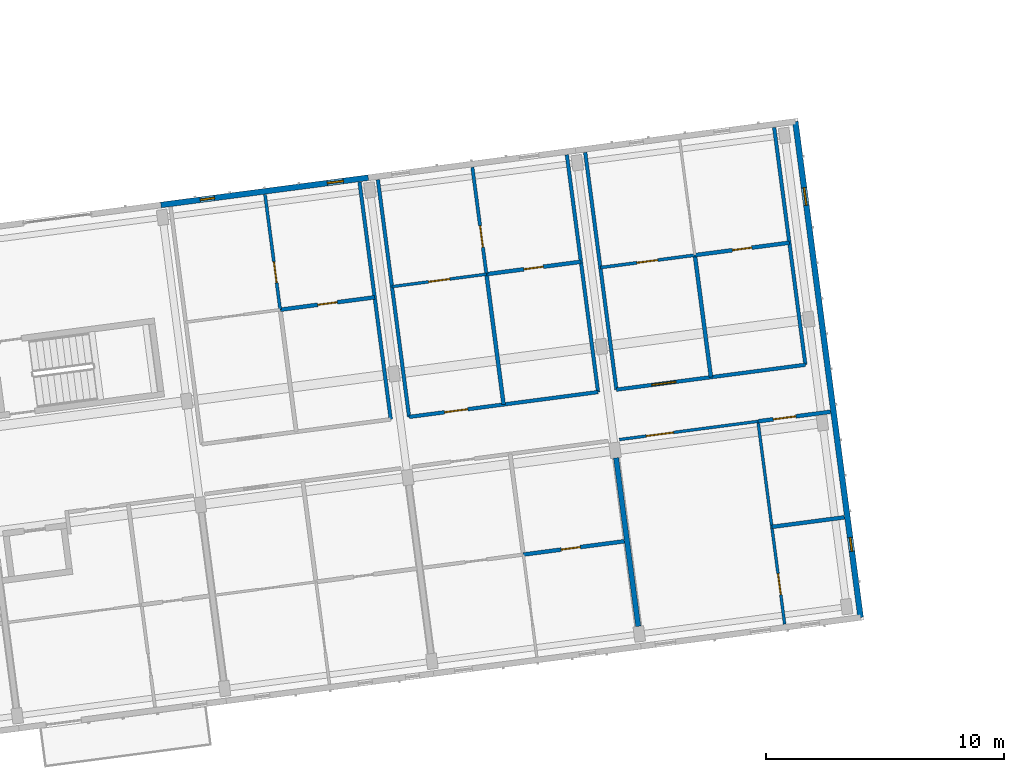
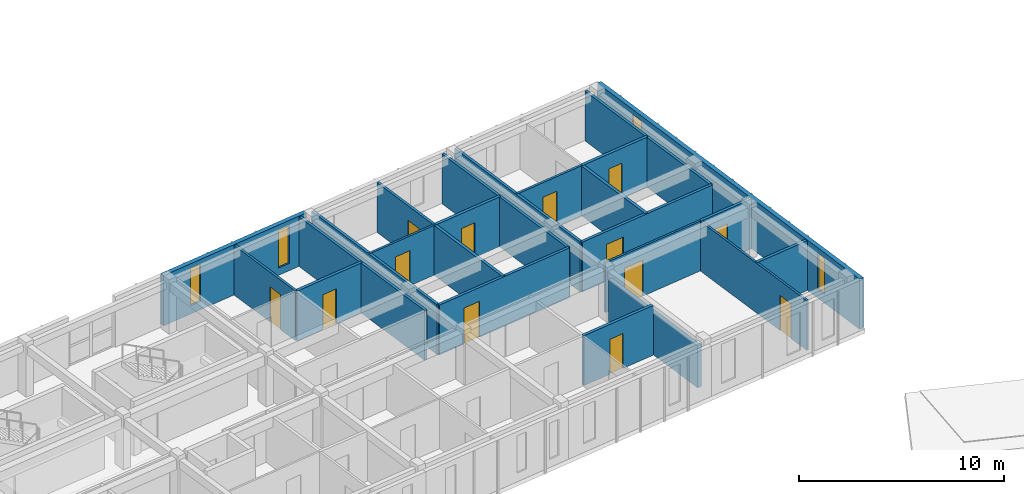
# One storey, part 14 of 34: 24 walls, 13 doors, 4 windows, 17 openings.
"""IFC4 building model written with IfcOpenShell, lengths in metres."""

from ifc_helpers import new_model, si_unit, direction, frame, frame_2d, origin, place, context, subcontext, project, spatial, rectangle, extrude, material, layer, layer_set, type_object, element, fill, save


model = new_model("IFC4")

# Units and contexts
model_context = context("Model", 3, precision=1e-05, world=origin(), true_north=direction((0.0, 1.0)))
body_context = subcontext(model_context, "Body", "Model", "MODEL_VIEW")
ifc_project = project(units=[si_unit("LENGTHUNIT", "METRE"), si_unit("AREAUNIT", "SQUARE_METRE"), si_unit("VOLUMEUNIT", "CUBIC_METRE"), si_unit("PLANEANGLEUNIT", "RADIAN"), si_unit("MASSUNIT", "GRAM", prefix="KILO")], contexts=[model_context])

# Site, building, storey
site_placement = place(None, origin())
site = spatial("IfcSite", under=ifc_project, at=site_placement, CompositionType="ELEMENT")
building_placement = place(site_placement, origin())
building = spatial("IfcBuilding", under=site, at=building_placement, Name="Kestramere Prow Commons", CompositionType="ELEMENT")
storey_placement = place(building_placement, frame((0.0, 0.0, 34.39990234375)))
storey = spatial("IfcBuildingStorey", under=building, at=storey_placement, Name="L10", CompositionType="ELEMENT", Elevation=34.39990234375)

# Wall, openings, windows
ifc_material_1 = material(Name="Fluoropolymer Standing-Seam Zinc-Aluminium Cladding", Category="aluminium")
ifc_layer_1 = layer(ifc_material_1, 0.239990234375)
ifc_layer_set_1 = layer_set([ifc_layer_1], Name="Fluoropolymer Standing-Seam Zinc-Aluminium Cladding")
wall_type_1 = type_object("IfcWallType", Name="EW-SEAM-240", PredefinedType="SOLIDWALL", material=ifc_layer_set_1)
wall_1_placement = place(storey_placement, frame((34.695068359375, 95.79541015625, 0.0), z_axis=(0.0, 0.0, 1.0), x_axis=(0.991447967712, 0.130502595073, 0.0)))
wall_1 = element("IfcWall", 1, at=wall_1_placement, inside=storey, type_object=wall_type_1, Name="Block A L10 North Standing-Seam Wall 4", PredefinedType="SOLIDWALL", context=body_context, shape_type="SweptSolid", body=[
    extrude(rectangle(XDim=8.800048828125, YDim=0.239990234375, at=frame_2d((4.39990234375, 0.0))), origin(), (0.0, 0.0, 1.0), 3.0),
])
opening_1_placement = place(wall_1_placement, frame((1.672119140625, 0.0, 0.5)))
opening_1 = element("IfcOpeningElement", 2, at=opening_1_placement, cuts=wall_1, Name="Opening WN-02", PredefinedType="OPENING", context=body_context, shape_type="SweptSolid", body=[
    extrude(rectangle(XDim=0.60009765625, YDim=2.219970703125, at=frame_2d((0.300048828125, 1.10986328125))), frame((0.0, 0.135009765625, 0.0), z_axis=(0.0, -1.0, 0.0), x_axis=(1.0, 0.0, 0.0)), (0.0, 0.0, 1.0), 0.27001953125),
])
opening_2_placement = place(wall_1_placement, frame((7.06591796875, 0.0, 0.43994140625)))
opening_2 = element("IfcOpeningElement", 3, at=opening_2_placement, cuts=wall_1, Name="Opening WN-06", PredefinedType="OPENING", context=body_context, shape_type="SweptSolid", body=[
    extrude(rectangle(XDim=0.679931640625, YDim=2.239990234375, at=frame_2d((0.33984375, 1.1201171875))), frame((0.0, 0.135009765625, 0.0), z_axis=(0.0, -1.0, 0.0), x_axis=(1.0, 0.0, 0.0)), (0.0, 0.0, 1.0), 0.27001953125),
])
ifc_material_2 = material(Name="Low-E Laminated Double Glazing", Category="glass")
window_type_1 = type_object("IfcWindowType", Name="WN-NAR-600A", PartitioningType="SINGLE_PANEL", PredefinedType="WINDOW", material=ifc_material_2)
window_1_placement = place(opening_1_placement, origin())
window_1 = element("IfcWindow", 4, at=window_1_placement, inside=storey, type_object=window_type_1, Name="WN-A-L10-N-3-0", OverallHeight=2.219970703125, OverallWidth=0.60009765625, PartitioningType="SINGLE_PANEL", PredefinedType="WINDOW", context=body_context, shape_type="SweptSolid", body=[
    extrude(rectangle(XDim=0.60009765625, YDim=2.219970703125, at=frame_2d((0.300048828125, 1.10986328125))), frame((0.0, 0.030029296875, 0.0), z_axis=(0.0, -1.0, 0.0), x_axis=(1.0, 0.0, 0.0)), (0.0, 0.0, 1.0), 0.06005859375),
])
fill(opening_1, window_1)
window_type_2 = type_object("IfcWindowType", Name="WN-NAR-680A", PartitioningType="SINGLE_PANEL", PredefinedType="WINDOW", material=ifc_material_2)
window_2_placement = place(opening_2_placement, origin())
window_2 = element("IfcWindow", 5, at=window_2_placement, inside=storey, type_object=window_type_2, Name="WN-A-L10-N-3-1", OverallHeight=2.239990234375, OverallWidth=0.679931640625, PartitioningType="SINGLE_PANEL", PredefinedType="WINDOW", context=body_context, shape_type="SweptSolid", body=[
    extrude(rectangle(XDim=0.679931640625, YDim=2.239990234375, at=frame_2d((0.33984375, 1.1201171875))), frame((0.0, 0.030029296875, 0.0), z_axis=(0.0, -1.0, 0.0), x_axis=(1.0, 0.0, 0.0)), (0.0, 0.0, 1.0), 0.06005859375),
])
fill(opening_2, window_2)

wall_2_placement = place(storey_placement, frame((61.3896484375, 99.309814453125, 0.0), z_axis=(0.0, 0.0, 1.0), x_axis=(0.13052411616, -0.99144513469, 0.0)))
wall_2 = element("IfcWall", 6, at=wall_2_placement, inside=storey, type_object=wall_type_1, Name="Block A L10 EAV Facet Wall", PredefinedType="SOLIDWALL", context=body_context, shape_type="SweptSolid", body=[
    extrude(rectangle(XDim=21.05029296875, YDim=0.239990234375, at=frame_2d((10.525146484375, 0.0))), origin(), (0.0, 0.0, 1.0), 3.0),
])
opening_3_placement = place(wall_2_placement, frame((2.81005859375, 0.0, 0.449951171875)))
opening_3 = element("IfcOpeningElement", 7, at=opening_3_placement, cuts=wall_2, Name="Opening WN-09", PredefinedType="OPENING", context=body_context, shape_type="SweptSolid", body=[
    extrude(rectangle(XDim=0.739990234375, YDim=2.260009765625, at=frame_2d((0.3701171875, 1.1298828125))), frame((0.0, 0.135009765625, 0.0), z_axis=(0.0, -1.0, 0.0), x_axis=(1.0, 0.0, 0.0)), (0.0, 0.0, 1.0), 0.27001953125),
])
opening_4_placement = place(wall_2_placement, frame((17.659912109375, 0.0, 0.52001953125)))
opening_4 = element("IfcOpeningElement", 8, at=opening_4_placement, cuts=wall_2, Name="Opening WN-01", PredefinedType="OPENING", context=body_context, shape_type="SweptSolid", body=[
    extrude(rectangle(XDim=0.580078125, YDim=2.159912109375, at=frame_2d((0.2900390625, 1.080078125))), frame((0.0, 0.135009765625, 0.0), z_axis=(0.0, -1.0, 0.0), x_axis=(1.0, 0.0, 0.0)), (0.0, 0.0, 1.0), 0.27001953125),
])
window_type_3 = type_object("IfcWindowType", Name="WN-NAR-580A", PartitioningType="SINGLE_PANEL", PredefinedType="WINDOW", material=ifc_material_2)
window_3_placement = place(opening_4_placement, origin())
window_3 = element("IfcWindow", 9, at=window_3_placement, inside=storey, type_object=window_type_3, Name="WN-A-L10-EAV-1", OverallHeight=2.159912109375, OverallWidth=0.580078125, PartitioningType="SINGLE_PANEL", PredefinedType="WINDOW", context=body_context, shape_type="SweptSolid", body=[
    extrude(rectangle(XDim=0.580078125, YDim=2.159912109375, at=frame_2d((0.2900390625, 1.080078125))), frame((0.0, 0.030029296875, 0.0), z_axis=(0.0, -1.0, 0.0), x_axis=(1.0, 0.0, 0.0)), (0.0, 0.0, 1.0), 0.06005859375),
])
fill(opening_4, window_3)
window_type_4 = type_object("IfcWindowType", Name="WN-NAR-740A", PartitioningType="SINGLE_PANEL", PredefinedType="WINDOW", material=ifc_material_2)
window_4_placement = place(opening_3_placement, origin())
window_4 = element("IfcWindow", 10, at=window_4_placement, inside=storey, type_object=window_type_4, Name="WN-A-L10-EAV-0", OverallHeight=2.260009765625, OverallWidth=0.739990234375, PartitioningType="SINGLE_PANEL", PredefinedType="WINDOW", context=body_context, shape_type="SweptSolid", body=[
    extrude(rectangle(XDim=0.739990234375, YDim=2.260009765625, at=frame_2d((0.3701171875, 1.1298828125))), frame((0.0, 0.030029296875, 0.0), z_axis=(0.0, -1.0, 0.0), x_axis=(1.0, 0.0, 0.0)), (0.0, 0.0, 1.0), 0.06005859375),
])
fill(opening_3, window_4)

# Wall, opening, door
ifc_material_3 = material(Name="Fire-Rated Calcium Silicate Wall")
ifc_layer_2 = layer(ifc_material_3, 0.155029296875)
ifc_layer_set_2 = layer_set([ifc_layer_2], Name="Fire-Rated Calcium Silicate Wall")
wall_type_2 = type_object("IfcWallType", Name="W-FIRE-150", PredefinedType="PARTITIONING", material=ifc_layer_set_2)
wall_3_placement = place(storey_placement, frame((45.138427734375, 86.877197265625, 0.0), z_axis=(0.0, 0.0, 1.0), x_axis=(0.991444034844, 0.130532470184, 0.0)))
wall_3 = element("IfcWall", 11, at=wall_3_placement, inside=storey, type_object=wall_type_2, Name="Interior Partition PW-A-L10-CN-4", PredefinedType="PARTITIONING", context=body_context, shape_type="SweptSolid", body=[
    extrude(rectangle(XDim=8.02001953125, YDim=0.155029296875, at=frame_2d((4.010009765625, 0.0))), origin(), (0.0, 0.0, 1.0), 2.97021484375),
])
opening_5_placement = place(wall_3_placement, frame((1.5048828125, 0.0, 0.0)))
opening_5 = element("IfcOpeningElement", 12, at=opening_5_placement, cuts=wall_3, Name="Opening ID-04", PredefinedType="OPENING", context=body_context, shape_type="SweptSolid", body=[
    extrude(rectangle(XDim=0.97998046875, YDim=2.14990234375, at=frame_2d((0.489990234375, 1.074951171875))), frame((0.0, 0.092529296875, 0.0), z_axis=(0.0, -1.0, 0.0), x_axis=(1.0, 0.0, 0.0)), (0.0, 0.0, 1.0), 0.18505859375),
])
ifc_material_4 = material(Name="Hardwood Fire-Rated Flat Entrance Door", Category="wood")
door_type_1 = type_object("IfcDoorType", Name="FD-ENT-01", OperationType="NOTDEFINED", PredefinedType="DOOR", material=ifc_material_4)
door_1_placement = place(opening_5_placement, origin())
door_1 = element("IfcDoor", 13, at=door_1_placement, inside=storey, type_object=door_type_1, Name="Interior Door DR-A-L10-ENT-N4", OperationType="SINGLE_SWING_LEFT", OverallHeight=2.14990234375, OverallWidth=0.97998046875, PredefinedType="DOOR", context=body_context, shape_type="SweptSolid", body=[
    extrude(rectangle(XDim=0.97998046875, YDim=2.14990234375, at=frame_2d((0.489990234375, 1.074951171875))), frame((0.0, 0.02490234375, 0.0), z_axis=(0.0, -1.0, 0.0), x_axis=(1.0, 0.0, 0.0)), (0.0, 0.0, 1.0), 0.050048828125),
])
fill(opening_5, door_1)

wall_4_placement = place(storey_placement, frame((53.86328125, 88.02587890625, 0.0), z_axis=(0.0, 0.0, 1.0), x_axis=(0.991447973994, 0.130502547346, 0.0)))
wall_4 = element("IfcWall", 14, at=wall_4_placement, inside=storey, type_object=wall_type_2, Name="Interior Partition PW-A-L10-CN-5", PredefinedType="PARTITIONING", context=body_context, shape_type="SweptSolid", body=[
    extrude(rectangle(XDim=8.02001953125, YDim=0.155029296875, at=frame_2d((4.010009765625, 0.0))), origin(), (0.0, 0.0, 1.0), 2.97021484375),
])
opening_6_placement = place(wall_4_placement, frame((1.5048828125, 0.0, 0.0)))
opening_6 = element("IfcOpeningElement", 15, at=opening_6_placement, cuts=wall_4, Name="Opening ID-05", PredefinedType="OPENING", context=body_context, shape_type="SweptSolid", body=[
    extrude(rectangle(XDim=1.02001953125, YDim=2.199951171875, at=frame_2d((0.510009765625, 1.10009765625))), frame((0.0, 0.092529296875, 0.0), z_axis=(0.0, -1.0, 0.0), x_axis=(1.0, 0.0, 0.0)), (0.0, 0.0, 1.0), 0.18505859375),
])
door_type_2 = type_object("IfcDoorType", Name="FD-ENT-02", OperationType="NOTDEFINED", PredefinedType="DOOR", material=ifc_material_4)
door_2_placement = place(opening_6_placement, origin())
door_2 = element("IfcDoor", 16, at=door_2_placement, inside=storey, type_object=door_type_2, Name="Interior Door DR-A-L10-ENT-N5", OperationType="SINGLE_SWING_RIGHT", OverallHeight=2.199951171875, OverallWidth=1.02001953125, PredefinedType="DOOR", context=body_context, shape_type="SweptSolid", body=[
    extrude(rectangle(XDim=1.02001953125, YDim=2.199951171875, at=frame_2d((0.510009765625, 1.10009765625))), frame((0.0, 0.02490234375, 0.0), z_axis=(0.0, -1.0, 0.0), x_axis=(1.0, 0.0, 0.0)), (0.0, 0.0, 1.0), 0.050048828125),
])
fill(opening_6, door_2)

ifc_material_5 = material(Name="Lightweight Blockwork and Plaster", Category="masonry")
ifc_layer_3 = layer(ifc_material_5, 0.1201171875)
ifc_layer_set_3 = layer_set([ifc_layer_3], Name="Lightweight Blockwork and Plaster")
wall_type_3 = type_object("IfcWallType", Name="W-PART-120", PredefinedType="PARTITIONING", material=ifc_layer_set_3)
wall_5_placement = place(storey_placement, frame((53.983642578125, 85.923583984375, 0.0), z_axis=(0.0, 0.0, 1.0), x_axis=(0.991446810256, 0.130511388136, 0.0)))
wall_5 = element("IfcWall", 17, at=wall_5_placement, inside=storey, type_object=wall_type_3, Name="Interior Partition PW-A-L10-CS-5A", PredefinedType="PARTITIONING", context=body_context, shape_type="SweptSolid", body=[
    extrude(rectangle(XDim=5.885009765625, YDim=0.1201171875, at=frame_2d((2.9423828125, 0.0))), origin(), (0.0, 0.0, 1.0), 2.97021484375),
])
opening_7_placement = place(wall_5_placement, frame((1.14990234375, 0.0, 0.0)))
opening_7 = element("IfcOpeningElement", 18, at=opening_7_placement, cuts=wall_5, Name="Opening ID-09", PredefinedType="OPENING", context=body_context, shape_type="SweptSolid", body=[
    extrude(rectangle(XDim=1.14990234375, YDim=2.14990234375, at=frame_2d((0.574951171875, 1.074951171875))), frame((0.0, 0.074951171875, 0.0), z_axis=(0.0, -1.0, 0.0), x_axis=(1.0, 0.0, 0.0)), (0.0, 0.0, 1.0), 0.150146484375),
])
ifc_material_6 = material(Name="Engineered Timber Acoustic Door", Category="wood")
door_type_3 = type_object("IfcDoorType", Name="D-RM-02", OperationType="NOTDEFINED", PredefinedType="DOOR", material=ifc_material_6)
door_3_placement = place(opening_7_placement, origin())
door_3 = element("IfcDoor", 19, at=door_3_placement, inside=storey, type_object=door_type_3, Name="Interior Door DR-A-L10-SKY-5", OperationType="SINGLE_SWING_LEFT", OverallHeight=2.14990234375, OverallWidth=1.14990234375, PredefinedType="DOOR", context=body_context, shape_type="SweptSolid", body=[
    extrude(rectangle(XDim=1.14990234375, YDim=2.14990234375, at=frame_2d((0.574951171875, 1.074951171875))), frame((0.0, 0.02490234375, 0.0), z_axis=(0.0, -1.0, 0.0), x_axis=(1.0, 0.0, 0.0)), (0.0, 0.0, 1.0), 0.050048828125),
])
fill(opening_7, door_3)

wall_6_placement = place(storey_placement, frame((60.942138671875, 78.1552734375, 0.0), z_axis=(0.0, 0.0, 1.0), x_axis=(-0.13051979335, 0.99144570378, 0.0)))
wall_6 = element("IfcWall", 20, at=wall_6_placement, inside=storey, type_object=wall_type_3, Name="Interior Partition PW-A-L10-SKDV-5", PredefinedType="PARTITIONING", context=body_context, shape_type="SweptSolid", body=[
    extrude(rectangle(XDim=8.610107421875, YDim=0.1201171875, at=frame_2d((4.30517578125, 0.0))), origin(), (0.0, 0.0, 1.0), 2.97021484375),
])
opening_8_placement = place(wall_6_placement, frame((1.25, 0.0, 0.0)))
opening_8 = element("IfcOpeningElement", 21, at=opening_8_placement, cuts=wall_6, Name="Opening ID-08", PredefinedType="OPENING", context=body_context, shape_type="SweptSolid", body=[
    extrude(rectangle(XDim=0.89990234375, YDim=2.10009765625, at=frame_2d((0.449951171875, 1.050048828125))), frame((0.0, 0.074951171875, 0.0), z_axis=(0.0, -1.0, 0.0), x_axis=(1.0, 0.0, 0.0)), (0.0, 0.0, 1.0), 0.150146484375),
])
ifc_material_7 = material(Name="Engineered Timber Flush Door", Category="wood")
door_type_4 = type_object("IfcDoorType", Name="D-RM-01", OperationType="NOTDEFINED", PredefinedType="DOOR", material=ifc_material_7)
door_4_placement = place(opening_8_placement, origin())
door_4 = element("IfcDoor", 22, at=door_4_placement, inside=storey, type_object=door_type_4, Name="Interior Door DR-A-L10-SKAL-5", OperationType="SINGLE_SWING_LEFT", OverallHeight=2.10009765625, OverallWidth=0.89990234375, PredefinedType="DOOR", context=body_context, shape_type="SweptSolid", body=[
    extrude(rectangle(XDim=0.89990234375, YDim=2.10009765625, at=frame_2d((0.449951171875, 1.050048828125))), frame((0.0, 0.02490234375, 0.0), z_axis=(0.0, -1.0, 0.0), x_axis=(1.0, 0.0, 0.0)), (0.0, 0.0, 1.0), 0.050048828125),
])
fill(opening_8, door_4)

wall_7_placement = place(storey_placement, frame((44.416748046875, 92.35986328125, 0.0), z_axis=(0.0, 0.0, 1.0), x_axis=(0.991443516139, 0.130536409887, 0.0)))
wall_7 = element("IfcWall", 23, at=wall_7_placement, inside=storey, type_object=wall_type_3, Name="Interior Partition PW-A-L10-MIDN1-4", PredefinedType="PARTITIONING", context=body_context, shape_type="SweptSolid", body=[
    extrude(rectangle(XDim=4.010009765625, YDim=0.1201171875, at=frame_2d((2.0048828125, 0.0))), origin(), (0.0, 0.0, 1.0), 2.97021484375),
])
opening_9_placement = place(wall_7_placement, frame((1.554931640625, 0.0, 0.0)))
opening_9 = element("IfcOpeningElement", 24, at=opening_9_placement, cuts=wall_7, Name="Opening ID-08", PredefinedType="OPENING", context=body_context, shape_type="SweptSolid", body=[
    extrude(rectangle(XDim=0.89990234375, YDim=2.10009765625, at=frame_2d((0.449951171875, 1.050048828125))), frame((0.0, 0.074951171875, 0.0), z_axis=(0.0, -1.0, 0.0), x_axis=(1.0, 0.0, 0.0)), (0.0, 0.0, 1.0), 0.150146484375),
])
door_5_placement = place(opening_9_placement, origin())
door_5 = element("IfcDoor", 25, at=door_5_placement, inside=storey, type_object=door_type_4, Name="Interior Door DR-A-L10-KL-N4", OperationType="SINGLE_SWING_LEFT", OverallHeight=2.10009765625, OverallWidth=0.89990234375, PredefinedType="DOOR", context=body_context, shape_type="SweptSolid", body=[
    extrude(rectangle(XDim=0.89990234375, YDim=2.10009765625, at=frame_2d((0.449951171875, 1.050048828125))), frame((0.0, 0.02490234375, 0.0), z_axis=(0.0, -1.0, 0.0), x_axis=(1.0, 0.0, 0.0)), (0.0, 0.0, 1.0), 0.050048828125),
])
fill(opening_9, door_5)

ifc_layer_4 = layer(ifc_material_5, 0.1298828125)
ifc_layer_set_4 = layer_set([ifc_layer_4], Name="Lightweight Blockwork and Plaster")
wall_type_4 = type_object("IfcWallType", Name="W-PART-130", PredefinedType="PARTITIONING", material=ifc_layer_set_4)
wall_8_placement = place(storey_placement, frame((39.71337890625, 91.3876953125, 0.0), z_axis=(0.0, 0.0, 1.0), x_axis=(-0.130557831536, 0.991440695465, 0.0)))
wall_8 = element("IfcWall", 26, at=wall_8_placement, inside=storey, type_object=wall_type_4, Name="Interior Partition PW-A-L10-LB-N3", PredefinedType="PARTITIONING", context=body_context, shape_type="SweptSolid", body=[
    extrude(rectangle(XDim=4.889892578125, YDim=0.1298828125, at=frame_2d((2.44482421875, 0.0))), origin(), (0.0, 0.0, 1.0), 2.97021484375),
])
opening_10_placement = place(wall_8_placement, frame((1.14990234375, 0.0, 0.0)))
opening_10 = element("IfcOpeningElement", 27, at=opening_10_placement, cuts=wall_8, Name="Opening ID-10", PredefinedType="OPENING", context=body_context, shape_type="SweptSolid", body=[
    extrude(rectangle(XDim=0.8798828125, YDim=2.10009765625, at=frame_2d((0.43994140625, 1.050048828125))), frame((0.0, 0.079833984375, 0.0), z_axis=(0.0, -1.0, 0.0), x_axis=(1.0, 0.0, 0.0)), (0.0, 0.0, 1.0), 0.159912109375),
])
ifc_material_8 = material(Name="Engineered Timber Bedroom Door", Category="wood")
door_type_5 = type_object("IfcDoorType", Name="D-RM-03", OperationType="NOTDEFINED", PredefinedType="DOOR", material=ifc_material_8)
door_6_placement = place(opening_10_placement, origin())
door_6 = element("IfcDoor", 28, at=door_6_placement, inside=storey, type_object=door_type_5, Name="Interior Door DR-A-L10-BED-N3", OperationType="SINGLE_SWING_LEFT", OverallHeight=2.10009765625, OverallWidth=0.8798828125, PredefinedType="DOOR", context=body_context, shape_type="SweptSolid", body=[
    extrude(rectangle(XDim=0.8798828125, YDim=2.10009765625, at=frame_2d((0.43994140625, 1.050048828125))), frame((0.0, 0.02490234375, 0.0), z_axis=(0.0, -1.0, 0.0), x_axis=(1.0, 0.0, 0.0)), (0.0, 0.0, 1.0), 0.050048828125),
])
fill(opening_10, door_6)

wall_9_placement = place(storey_placement, frame((53.18701171875, 93.161376953125, 0.0), z_axis=(0.0, 0.0, 1.0), x_axis=(0.991444553502, 0.130528530716, 0.0)))
wall_9 = element("IfcWall", 29, at=wall_9_placement, inside=storey, type_object=wall_type_4, Name="Interior Partition PW-A-L10-MIDN1-5", PredefinedType="PARTITIONING", context=body_context, shape_type="SweptSolid", body=[
    extrude(rectangle(XDim=4.01025390625, YDim=0.1298828125, at=frame_2d((2.005126953125, 0.0))), origin(), (0.0, 0.0, 1.0), 2.97021484375),
])
opening_11_placement = place(wall_9_placement, frame((1.554931640625, 0.0, 0.0)))
opening_11 = element("IfcOpeningElement", 30, at=opening_11_placement, cuts=wall_9, Name="Opening ID-10", PredefinedType="OPENING", context=body_context, shape_type="SweptSolid", body=[
    extrude(rectangle(XDim=0.8798828125, YDim=2.10009765625, at=frame_2d((0.43994140625, 1.050048828125))), frame((0.0, 0.079833984375, 0.0), z_axis=(0.0, -1.0, 0.0), x_axis=(1.0, 0.0, 0.0)), (0.0, 0.0, 1.0), 0.159912109375),
])
door_7_placement = place(opening_11_placement, origin())
door_7 = element("IfcDoor", 31, at=door_7_placement, inside=storey, type_object=door_type_5, Name="Interior Door DR-A-L10-KL-N5", OperationType="SINGLE_SWING_LEFT", OverallHeight=2.10009765625, OverallWidth=0.8798828125, PredefinedType="DOOR", context=body_context, shape_type="SweptSolid", body=[
    extrude(rectangle(XDim=0.8798828125, YDim=2.10009765625, at=frame_2d((0.43994140625, 1.050048828125))), frame((0.0, 0.02490234375, 0.0), z_axis=(0.0, -1.0, 0.0), x_axis=(1.0, 0.0, 0.0)), (0.0, 0.0, 1.0), 0.050048828125),
])
fill(opening_11, door_7)

ifc_material_9 = material(Name="Masonry Compartment Wall", Category="masonry")
ifc_layer_5 = layer(ifc_material_9, 0.139892578125)
ifc_layer_set_5 = layer_set([ifc_layer_5], Name="Masonry Compartment Wall")
wall_type_5 = type_object("IfcWallType", Name="W-PART-140", PredefinedType="PARTITIONING", material=ifc_layer_set_5)
wall_10_placement = place(storey_placement, frame((48.392333984375, 92.88330078125, 0.0), z_axis=(0.0, 0.0, 1.0), x_axis=(-0.130518503748, 0.99144587355, 0.0)))
wall_10 = element("IfcWall", 32, at=wall_10_placement, inside=storey, type_object=wall_type_5, Name="Interior Partition PW-A-L10-LB-N4", PredefinedType="PARTITIONING", context=body_context, shape_type="SweptSolid", body=[
    extrude(rectangle(XDim=4.539794921875, YDim=0.139892578125, at=frame_2d((2.27001953125, 0.0))), origin(), (0.0, 0.0, 1.0), 2.97021484375),
])
opening_12_placement = place(wall_10_placement, frame((1.14990234375, 0.0, 0.0)))
opening_12 = element("IfcOpeningElement", 33, at=opening_12_placement, cuts=wall_10, Name="Opening ID-08", PredefinedType="OPENING", context=body_context, shape_type="SweptSolid", body=[
    extrude(rectangle(XDim=0.89990234375, YDim=2.10009765625, at=frame_2d((0.449951171875, 1.050048828125))), frame((0.0, 0.0849609375, 0.0), z_axis=(0.0, -1.0, 0.0), x_axis=(1.0, 0.0, 0.0)), (0.0, 0.0, 1.0), 0.169921875),
])
door_8_placement = place(opening_12_placement, origin())
door_8 = element("IfcDoor", 34, at=door_8_placement, inside=storey, type_object=door_type_4, Name="Interior Door DR-A-L10-BED-N4", OperationType="SINGLE_SWING_LEFT", OverallHeight=2.10009765625, OverallWidth=0.89990234375, PredefinedType="DOOR", context=body_context, shape_type="SweptSolid", body=[
    extrude(rectangle(XDim=0.89990234375, YDim=2.10009765625, at=frame_2d((0.449951171875, 1.050048828125))), frame((0.0, 0.02490234375, 0.0), z_axis=(0.0, -1.0, 0.0), x_axis=(1.0, 0.0, 0.0)), (0.0, 0.0, 1.0), 0.050048828125),
])
fill(opening_12, door_8)

# Walls
ifc_layer_6 = layer(ifc_material_9, 0.14990234375)
ifc_layer_set_6 = layer_set([ifc_layer_6], Name="Masonry Compartment Wall")
wall_type_6 = type_object("IfcWallType", Name="W-PART-150", PredefinedType="PARTITIONING", material=ifc_layer_set_6)
for number, where, z_axis, x_axis, name in (
    (35, (44.365234375, 86.775390625, 0.0), (0.0, 0.0, 1.0), (-0.130531024319, 0.991444225204, 0.0), "Interior Partition PW-A-L10-NWR-3"),
    (36, (45.138427734375, 86.877197265625, 0.0), (0.0, 0.0, 1.0), (-0.130531024319, 0.991444225204, 0.0), "Interior Partition PW-A-L10-NWL-4"),
):
    element("IfcWall", number, at=place(storey_placement, frame(where, z_axis=z_axis, x_axis=x_axis)), inside=storey, type_object=wall_type_6, Name=name, PredefinedType="PARTITIONING", context=body_context, shape_type="SweptSolid", body=[
        extrude(rectangle(XDim=10.070068359375, YDim=0.14990234375, at=frame_2d((5.03515625, 0.0))), origin(), (0.0, 0.0, 1.0), 2.97021484375),
    ])
for number, where, z_axis, x_axis, name in (
    (37, (53.08984375, 87.924072265625, 0.0), (0.0, 0.0, 1.0), (-0.130534161944, 0.991443812107, 0.0), "Interior Partition PW-A-L10-NWR-4"),
    (38, (53.86328125, 88.02587890625, 0.0), (0.0, 0.0, 1.0), (-0.130534161944, 0.991443812107, 0.0), "Interior Partition PW-A-L10-NWL-5"),
):
    element("IfcWall", number, at=place(storey_placement, frame(where, z_axis=z_axis, x_axis=x_axis)), inside=storey, type_object=wall_type_6, Name=name, PredefinedType="PARTITIONING", context=body_context, shape_type="SweptSolid", body=[
        extrude(rectangle(XDim=10.06982421875, YDim=0.14990234375, at=frame_2d((5.034912109375, 0.0))), origin(), (0.0, 0.0, 1.0), 2.97021484375),
    ])
wall_11_placement = place(storey_placement, frame((61.814697265625, 89.072509765625, 0.0), z_axis=(0.0, 0.0, 1.0), x_axis=(-0.130531024319, 0.991444225204, 0.0)))
element("IfcWall", 39, at=wall_11_placement, inside=storey, type_object=wall_type_6, Name="Interior Partition PW-A-L10-NWR-5", PredefinedType="PARTITIONING", context=body_context, shape_type="SweptSolid", body=[
    extrude(rectangle(XDim=10.070068359375, YDim=0.14990234375, at=frame_2d((5.03515625, 0.0))), origin(), (0.0, 0.0, 1.0), 2.97021484375),
])

# Wall, opening, door
ifc_material_10 = material(Name="Waterproof Sanitary Masonry Wall", Category="masonry")
ifc_layer_7 = layer(ifc_material_10, 0.1650390625)
ifc_layer_set_7 = layer_set([ifc_layer_7], Name="Waterproof Sanitary Masonry Wall")
wall_type_7 = type_object("IfcWallType", Name="W-PLUMB-150", PredefinedType="PLUMBINGWALL", material=ifc_layer_set_7)
wall_12_placement = place(storey_placement, frame((49.945556640625, 81.0849609375, 0.0), z_axis=(0.0, 0.0, 1.0), x_axis=(0.991444984965, 0.130525253451, 0.0)))
wall_12 = element("IfcWall", 40, at=wall_12_placement, inside=storey, type_object=wall_type_7, Name="Interior Partition PW-A-L10-MIDS2-4", PredefinedType="PLUMBINGWALL", context=body_context, shape_type="SweptSolid", body=[
    extrude(rectangle(XDim=4.28515625, YDim=0.1650390625, at=frame_2d((2.142578125, 0.0))), origin(), (0.0, 0.0, 1.0), 2.97021484375),
])
opening_13_placement = place(wall_12_placement, frame((1.60009765625, 0.0, 0.0)))
opening_13 = element("IfcOpeningElement", 41, at=opening_13_placement, cuts=wall_12, Name="Opening ID-11", PredefinedType="OPENING", context=body_context, shape_type="SweptSolid", body=[
    extrude(rectangle(XDim=0.820068359375, YDim=2.080078125, at=frame_2d((0.41015625, 1.0400390625))), frame((0.0, 0.097412109375, 0.0), z_axis=(0.0, -1.0, 0.0), x_axis=(1.0, 0.0, 0.0)), (0.0, 0.0, 1.0), 0.195068359375),
])
ifc_material_11 = material(Name="Moisture-Resistant Timber Bathroom Door", Category="wood")
door_type_6 = type_object("IfcDoorType", Name="D-BT-01", OperationType="NOTDEFINED", PredefinedType="DOOR", material=ifc_material_11)
door_9_placement = place(opening_13_placement, origin())
door_9 = element("IfcDoor", 42, at=door_9_placement, inside=storey, type_object=door_type_6, Name="Interior Door DR-A-L10-BTH-S4", OperationType="SINGLE_SWING_LEFT", OverallHeight=2.080078125, OverallWidth=0.820068359375, PredefinedType="DOOR", context=body_context, shape_type="SweptSolid", body=[
    extrude(rectangle(XDim=0.820068359375, YDim=2.080078125, at=frame_2d((0.41015625, 1.0400390625))), frame((0.0, 0.02490234375, 0.0), z_axis=(0.0, -1.0, 0.0), x_axis=(1.0, 0.0, 0.0)), (0.0, 0.0, 1.0), 0.050048828125),
])
fill(opening_13, door_9)

wall_13_placement = place(storey_placement, frame((59.818359375, 86.691650390625, 0.0), z_axis=(0.0, 0.0, 1.0), x_axis=(0.991444293548, 0.130530505213, 0.0)))
wall_13 = element("IfcWall", 43, at=wall_13_placement, inside=storey, type_object=wall_type_7, Name="Interior Partition PW-A-L10-CS-5B", PredefinedType="PLUMBINGWALL", context=body_context, shape_type="SweptSolid", body=[
    extrude(rectangle(XDim=3.074951171875, YDim=0.1650390625, at=frame_2d((1.53759765625, 0.0))), origin(), (0.0, 0.0, 1.0), 2.97021484375),
])
opening_14_placement = place(wall_13_placement, frame((0.64990234375, 0.0, 0.0)))
opening_14 = element("IfcOpeningElement", 44, at=opening_14_placement, cuts=wall_13, Name="Opening ID-13", PredefinedType="OPENING", context=body_context, shape_type="SweptSolid", body=[
    extrude(rectangle(XDim=0.9599609375, YDim=2.1201171875, at=frame_2d((0.47998046875, 1.06005859375))), frame((0.0, 0.097412109375, 0.0), z_axis=(0.0, -1.0, 0.0), x_axis=(1.0, 0.0, 0.0)), (0.0, 0.0, 1.0), 0.195068359375),
])
ifc_material_12 = material(Name="Accessible Wide-Leaf Timber Door", Category="wood")
door_type_7 = type_object("IfcDoorType", Name="D-ACC-01", OperationType="NOTDEFINED", PredefinedType="DOOR", material=ifc_material_12)
door_10_placement = place(opening_14_placement, origin())
door_10 = element("IfcDoor", 45, at=door_10_placement, inside=storey, type_object=door_type_7, Name="Interior Door DR-A-L10-SKWC-5", OperationType="SINGLE_SWING_RIGHT", OverallHeight=2.1201171875, OverallWidth=0.9599609375, PredefinedType="DOOR", context=body_context, shape_type="SweptSolid", body=[
    extrude(rectangle(XDim=0.9599609375, YDim=2.1201171875, at=frame_2d((0.47998046875, 1.06005859375))), frame((0.0, 0.02490234375, 0.0), z_axis=(0.0, -1.0, 0.0), x_axis=(1.0, 0.0, 0.0)), (0.0, 0.0, 1.0), 0.050048828125),
])
fill(opening_14, door_10)

# Wall
wall_14_placement = place(storey_placement, frame((60.403076171875, 82.25, 0.0), z_axis=(0.0, 0.0, 1.0), x_axis=(0.991444293548, 0.130530505213, 0.0)))
element("IfcWall", 46, at=wall_14_placement, inside=storey, type_object=wall_type_7, Name="Interior Partition PW-A-L10-SKHZ-5", PredefinedType="PLUMBINGWALL", context=body_context, shape_type="SweptSolid", body=[
    extrude(rectangle(XDim=3.074951171875, YDim=0.1650390625, at=frame_2d((1.53759765625, 0.0))), origin(), (0.0, 0.0, 1.0), 2.97021484375),
])

# Wall, opening, door
wall_15_placement = place(storey_placement, frame((39.71337890625, 91.3876953125, 0.0), z_axis=(0.0, 0.0, 1.0), x_axis=(0.991443516139, 0.130536409887, 0.0)))
wall_15 = element("IfcWall", 47, at=wall_15_placement, inside=storey, type_object=wall_type_7, Name="Interior Partition PW-A-L10-MIDN2-3", PredefinedType="PLUMBINGWALL", context=body_context, shape_type="SweptSolid", body=[
    extrude(rectangle(XDim=4.010009765625, YDim=0.1650390625, at=frame_2d((2.0048828125, 0.0))), origin(), (0.0, 0.0, 1.0), 2.97021484375),
])
opening_15_placement = place(wall_15_placement, frame((1.594970703125, 0.0, 0.0)))
opening_15 = element("IfcOpeningElement", 48, at=opening_15_placement, cuts=wall_15, Name="Opening ID-11", PredefinedType="OPENING", context=body_context, shape_type="SweptSolid", body=[
    extrude(rectangle(XDim=0.820068359375, YDim=2.080078125, at=frame_2d((0.41015625, 1.0400390625))), frame((0.0, 0.097412109375, 0.0), z_axis=(0.0, -1.0, 0.0), x_axis=(1.0, 0.0, 0.0)), (0.0, 0.0, 1.0), 0.195068359375),
])
door_11_placement = place(opening_15_placement, origin())
door_11 = element("IfcDoor", 49, at=door_11_placement, inside=storey, type_object=door_type_6, Name="Interior Door DR-A-L10-BTH-N3", OperationType="SINGLE_SWING_RIGHT", OverallHeight=2.080078125, OverallWidth=0.820068359375, PredefinedType="DOOR", context=body_context, shape_type="SweptSolid", body=[
    extrude(rectangle(XDim=0.820068359375, YDim=2.080078125, at=frame_2d((0.41015625, 1.0400390625))), frame((0.0, 0.02490234375, 0.0), z_axis=(0.0, -1.0, 0.0), x_axis=(1.0, 0.0, 0.0)), (0.0, 0.0, 1.0), 0.050048828125),
])
fill(opening_15, door_11)

wall_16_placement = place(storey_placement, frame((48.392333984375, 92.88330078125, 0.0), z_axis=(0.0, 0.0, 1.0), x_axis=(0.991444553502, 0.130528530716, 0.0)))
wall_16 = element("IfcWall", 50, at=wall_16_placement, inside=storey, type_object=wall_type_7, Name="Interior Partition PW-A-L10-MIDN2-4", PredefinedType="PLUMBINGWALL", context=body_context, shape_type="SweptSolid", body=[
    extrude(rectangle(XDim=4.01025390625, YDim=0.1650390625, at=frame_2d((2.005126953125, 0.0))), origin(), (0.0, 0.0, 1.0), 2.97021484375),
])
opening_16_placement = place(wall_16_placement, frame((1.594970703125, 0.0, 0.0)))
opening_16 = element("IfcOpeningElement", 51, at=opening_16_placement, cuts=wall_16, Name="Opening ID-11", PredefinedType="OPENING", context=body_context, shape_type="SweptSolid", body=[
    extrude(rectangle(XDim=0.820068359375, YDim=2.080078125, at=frame_2d((0.41015625, 1.0400390625))), frame((0.0, 0.097412109375, 0.0), z_axis=(0.0, -1.0, 0.0), x_axis=(1.0, 0.0, 0.0)), (0.0, 0.0, 1.0), 0.195068359375),
])
door_12_placement = place(opening_16_placement, origin())
door_12 = element("IfcDoor", 52, at=door_12_placement, inside=storey, type_object=door_type_6, Name="Interior Door DR-A-L10-BTH-N4", OperationType="SINGLE_SWING_RIGHT", OverallHeight=2.080078125, OverallWidth=0.820068359375, PredefinedType="DOOR", context=body_context, shape_type="SweptSolid", body=[
    extrude(rectangle(XDim=0.820068359375, YDim=2.080078125, at=frame_2d((0.41015625, 1.0400390625))), frame((0.0, 0.02490234375, 0.0), z_axis=(0.0, -1.0, 0.0), x_axis=(1.0, 0.0, 0.0)), (0.0, 0.0, 1.0), 0.050048828125),
])
fill(opening_16, door_12)

# Wall
wall_17_placement = place(storey_placement, frame((49.1142578125, 87.400634765625, 0.0), z_axis=(0.0, 0.0, 1.0), x_axis=(-0.130547016415, 0.991442119594, 0.0)))
element("IfcWall", 53, at=wall_17_placement, inside=storey, type_object=wall_type_7, Name="Interior Partition PW-A-L10-KB-N4", PredefinedType="PLUMBINGWALL", context=body_context, shape_type="SweptSolid", body=[
    extrude(rectangle(XDim=5.530029296875, YDim=0.1650390625, at=frame_2d((2.76513671875, 0.0))), origin(), (0.0, 0.0, 1.0), 2.97021484375),
])

# Wall, opening, door
wall_18_placement = place(storey_placement, frame((57.162841796875, 93.684814453125, 0.0), z_axis=(0.0, 0.0, 1.0), x_axis=(0.991443516139, 0.130536409887, 0.0)))
wall_18 = element("IfcWall", 54, at=wall_18_placement, inside=storey, type_object=wall_type_7, Name="Interior Partition PW-A-L10-MIDN2-5", PredefinedType="PLUMBINGWALL", context=body_context, shape_type="SweptSolid", body=[
    extrude(rectangle(XDim=4.010009765625, YDim=0.1650390625, at=frame_2d((2.0048828125, 0.0))), origin(), (0.0, 0.0, 1.0), 2.97021484375),
])
opening_17_placement = place(wall_18_placement, frame((1.594970703125, 0.0, 0.0)))
opening_17 = element("IfcOpeningElement", 55, at=opening_17_placement, cuts=wall_18, Name="Opening ID-11", PredefinedType="OPENING", context=body_context, shape_type="SweptSolid", body=[
    extrude(rectangle(XDim=0.820068359375, YDim=2.080078125, at=frame_2d((0.41015625, 1.0400390625))), frame((0.0, 0.097412109375, 0.0), z_axis=(0.0, -1.0, 0.0), x_axis=(1.0, 0.0, 0.0)), (0.0, 0.0, 1.0), 0.195068359375),
])
door_13_placement = place(opening_17_placement, origin())
door_13 = element("IfcDoor", 56, at=door_13_placement, inside=storey, type_object=door_type_6, Name="Interior Door DR-A-L10-BTH-N5", OperationType="SINGLE_SWING_RIGHT", OverallHeight=2.080078125, OverallWidth=0.820068359375, PredefinedType="DOOR", context=body_context, shape_type="SweptSolid", body=[
    extrude(rectangle(XDim=0.820068359375, YDim=2.080078125, at=frame_2d((0.41015625, 1.0400390625))), frame((0.0, 0.02490234375, 0.0), z_axis=(0.0, -1.0, 0.0), x_axis=(1.0, 0.0, 0.0)), (0.0, 0.0, 1.0), 0.050048828125),
])
fill(opening_17, door_13)

# Walls
wall_19_placement = place(storey_placement, frame((57.8388671875, 88.549072265625, 0.0), z_axis=(0.0, 0.0, 1.0), x_axis=(-0.130505718023, 0.991447556638, 0.0)))
element("IfcWall", 57, at=wall_19_placement, inside=storey, type_object=wall_type_7, Name="Interior Partition PW-A-L10-KB-N5", PredefinedType="PLUMBINGWALL", context=body_context, shape_type="SweptSolid", body=[
    extrude(rectangle(XDim=5.179931640625, YDim=0.1650390625, at=frame_2d((2.58984375, 0.0))), origin(), (0.0, 0.0, 1.0), 2.97021484375),
])
ifc_material_13 = material(Name="Precast concrete C40/50", Category="concrete")
ifc_layer_8 = layer(ifc_material_13, 0.219970703125)
ifc_layer_set_8 = layer_set([ifc_layer_8], Name="Precast concrete C40/50")
wall_type_8 = type_object("IfcWallType", Name="W-XWALL-220", PredefinedType="SHEAR", material=ifc_layer_set_8)
wall_20_placement = place(storey_placement, frame((54.78125, 78.0654296875, 0.0), z_axis=(0.0, 0.0, 1.0), x_axis=(-0.130537539388, 0.991443367425, 0.0)))
element("IfcWall", 58, at=wall_20_placement, inside=storey, type_object=wall_type_8, Name="Block A L10 Precast Cross-Wall 5", PredefinedType="SHEAR", context=body_context, shape_type="SweptSolid", body=[
    extrude(rectangle(XDim=7.150146484375, YDim=0.219970703125, at=frame_2d((3.5751953125, 0.0))), origin(), (0.0, 0.0, 1.0), 2.5),
])

save(model, "model.ifc")
